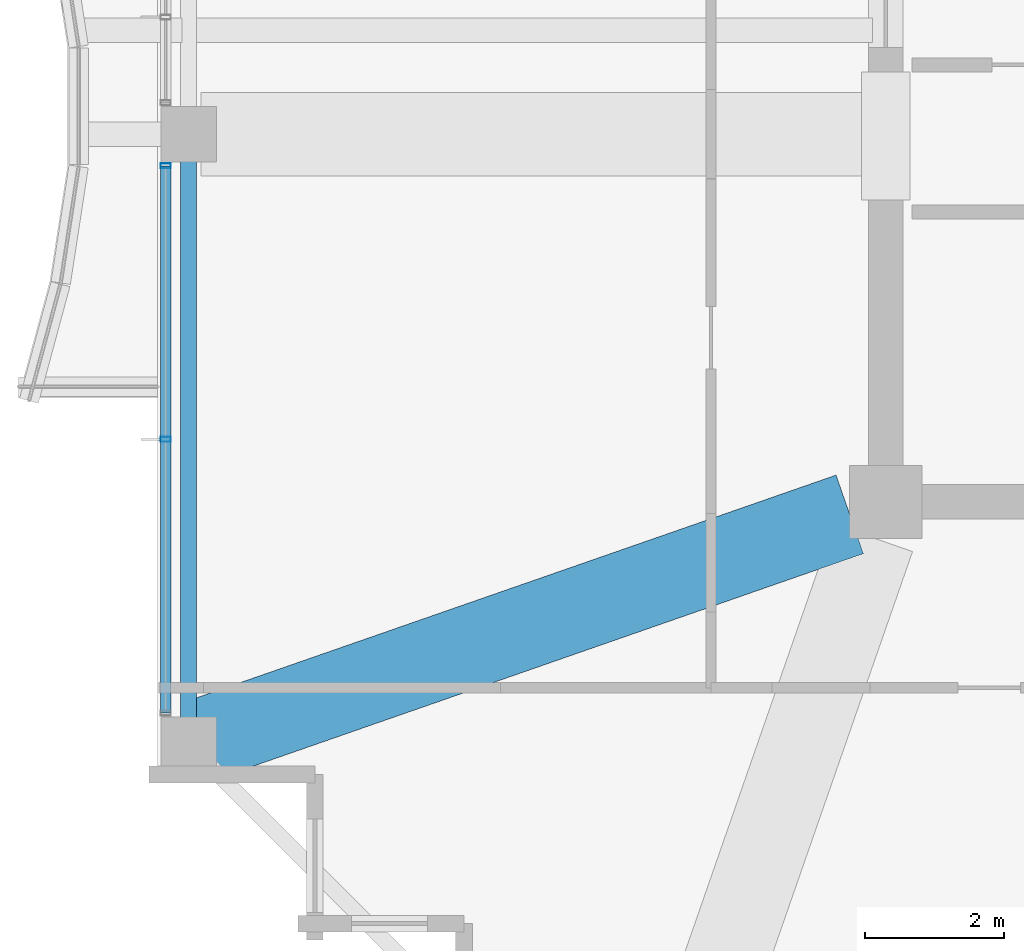
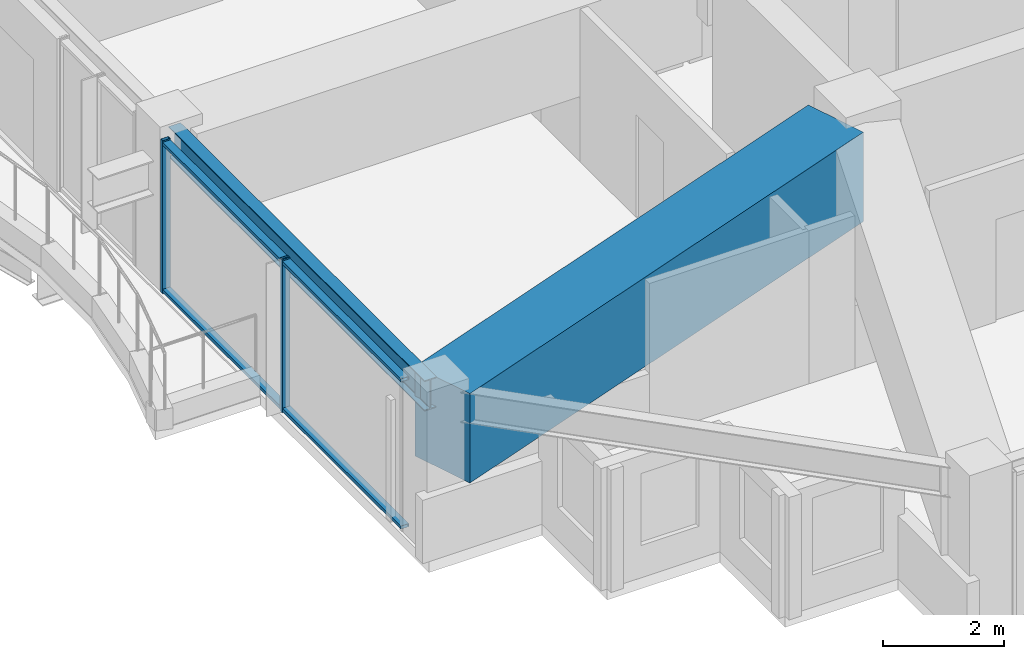
# One storey, part 4 of 35: 4 members, 2 beams, 1 element without a shape of its own.
"""IFC4 building model written with IfcOpenShell, lengths in metres."""

from ifc_helpers import new_model, si_unit, direction, frame, origin, origin_2d, place, context, subcontext, project, spatial, rectangle, hollow_rectangle, i_section, extrude, material, material_profile, profile_set, type_object, element, aggregate, save


model = new_model("IFC4")

# Units and contexts
model_context = context("Model", 3, precision=1e-05, world=origin(), true_north=direction((0.0, 1.0)))
body_context = subcontext(model_context, "Body", "Model", "MODEL_VIEW")
ifc_project = project(units=[si_unit("LENGTHUNIT", "METRE"), si_unit("AREAUNIT", "SQUARE_METRE"), si_unit("VOLUMEUNIT", "CUBIC_METRE"), si_unit("PLANEANGLEUNIT", "RADIAN"), si_unit("MASSUNIT", "GRAM", prefix="KILO")], contexts=[model_context])

# Site, building, storey
site_placement = place(None, origin())
site = spatial("IfcSite", under=ifc_project, at=site_placement, CompositionType="ELEMENT")
building_placement = place(site_placement, origin())
building = spatial("IfcBuilding", under=site, at=building_placement, Name="Kolvaren Belvedere", CompositionType="ELEMENT")
storey_placement = place(building_placement, frame((0.0, 0.0, 203.10009765625)))
storey = spatial("IfcBuildingStorey", under=building, at=storey_placement, Name="L59", CompositionType="ELEMENT", Elevation=203.10009765625)

# Beams
ifc_material_1 = material(Name="Structural steel ASTM A992 Grade 50", Category="steel")
ifc_material_profile_1 = material_profile(ifc_material_1, i_section(OverallWidth=0.22900390625, OverallDepth=0.612060546875, WebThickness=0.011962890625, FlangeThickness=0.01953125, FilletRadius=0.01806640625, at=origin_2d()), Name="W24X84")
ifc_profile_set_1 = profile_set([ifc_material_profile_1], Name="Structural steel ASTM A992 Grade 50")
beam_type_1 = type_object("IfcBeamType", Name="BM-SPAN-W24X84", PredefinedType="SPANDREL", material=ifc_profile_set_1)
beam_1_placement = place(storey_placement, frame((-19.949951171875, -4.780029296875, 2.77392578125), z_axis=(0.0, -1.0, 0.0), x_axis=(1.0, 0.0, 0.0)))
element("IfcBeam", 1, at=beam_1_placement, inside=storey, type_object=beam_type_1, Name="L59 Perimeter Spandrel W2-W1", PredefinedType="SPANDREL", context=body_context, shape_type="SweptSolid", body=[
    extrude(i_section(OverallWidth=0.22900390625, OverallDepth=0.612060546875, WebThickness=0.011962890625, FlangeThickness=0.01953125, FilletRadius=0.01806640625, at=origin_2d()), origin(), (0.0, 0.0, 1.0), 8.43994140625),
])
ifc_material_2 = material(Name="Concrete C50/60", Category="concrete")
ifc_material_profile_2 = material_profile(ifc_material_2, rectangle(XDim=1.199951171875, YDim=1.800048828125, at=origin_2d()), Name="RC 1200X1800")
ifc_profile_set_2 = profile_set([ifc_material_profile_2], Name="Concrete C50/60")
beam_type_2 = type_object("IfcBeamType", Name="BM-TG-1800", PredefinedType="BEAM", material=ifc_profile_set_2)
beam_2_placement = place(storey_placement, frame((-10.41943359375, -10.080810546875, 2.179931640625), z_axis=(-0.944365399758, -0.328898147971, 0.0), x_axis=(0.328898147971, -0.944365399758, 0.0)))
element("IfcBeam", 2, at=beam_2_placement, inside=storey, type_object=beam_type_2, Name="L59 Corner Core-to-Perimeter Girder CC1-W1", PredefinedType="BEAM", context=body_context, shape_type="SweptSolid", body=[
    extrude(rectangle(XDim=1.199951171875, YDim=1.800048828125, at=origin_2d()), origin(), (0.0, 0.0, 1.0), 9.931884765625),
])

# Curtain wall, members
ifc_material_3 = material(Name="Anodised pale-metal aluminium AA 6063-T6", Category="aluminium")
curtain_wall_type = type_object("IfcCurtainWallType", Name="CW-Z5-HIGH", PredefinedType="NOTDEFINED", material=ifc_material_3)
curtain_wall_placement = place(storey_placement, origin())
curtain_wall = element("IfcCurtainWall", 3, at=curtain_wall_placement, inside=storey, type_object=curtain_wall_type, Name="L59 Unitised Curtain Wall FCW-L59-W1-B1", PredefinedType="NOTDEFINED")
ifc_material_4 = material(Name="Anodised pale-metal aluminium AA 6063-T6", Category="aluminium")
ifc_material_profile_3 = material_profile(ifc_material_4, hollow_rectangle(XDim=0.070068359375, YDim=0.14990234375, WallThickness=0.004150390625, at=origin_2d()), Name="ALU-MUL-150X70")
ifc_profile_set_3 = profile_set([ifc_material_profile_3], Name="Anodised pale-metal aluminium AA 6063-T6")
member_type_1 = type_object("IfcMemberType", Name="CW-MUL-150", PredefinedType="MULLION", material=ifc_profile_set_3)
member_1_placement = place(storey_placement, frame((-20.280029296875, -9.0, 0.0), z_axis=(0.0, 0.0, 1.0), x_axis=(0.0, 1.0, 0.0)))
member_1 = element("IfcMember", 4, at=member_1_placement, type_object=member_type_1, Name="FCW-L59-W1-B1 Unitised Mullion 2", PredefinedType="MULLION", context=body_context, shape_type="SweptSolid", body=[
    extrude(hollow_rectangle(XDim=0.070068359375, YDim=0.14990234375, WallThickness=0.004150390625, at=origin_2d()), origin(), (0.0, 0.0, 1.0), 3.079833984375),
])
member_2_placement = place(storey_placement, frame((-20.280029296875, -5.054931640625, 0.0), z_axis=(0.0, 0.0, 1.0), x_axis=(0.0, 1.0, 0.0)))
member_2 = element("IfcMember", 5, at=member_2_placement, type_object=member_type_1, Name="FCW-L59-W1-B1 Unitised Mullion 3", PredefinedType="MULLION", context=body_context, shape_type="SweptSolid", body=[
    extrude(hollow_rectangle(XDim=0.070068359375, YDim=0.14990234375, WallThickness=0.004150390625, at=origin_2d()), origin(), (0.0, 0.0, 1.0), 3.079833984375),
])
ifc_material_5 = material(Name="Anodised pale-metal aluminium AA 6063-T6", Category="aluminium")
ifc_material_profile_4 = material_profile(ifc_material_5, hollow_rectangle(XDim=0.06494140625, YDim=0.14990234375, WallThickness=0.00390625, at=origin_2d()), Name="ALU-TRN-150X65")
ifc_profile_set_4 = profile_set([ifc_material_profile_4], Name="Anodised pale-metal aluminium AA 6063-T6")
member_type_2 = type_object("IfcMemberType", Name="CW-TRN-150", PredefinedType="USERDEFINED", material=ifc_profile_set_4)
member_3_placement = place(storey_placement, frame((-20.280029296875, -12.945068359375, 0.059814453125), z_axis=(0.0, 1.0, 0.0), x_axis=(0.0, 0.0, 1.0)))
member_3 = element("IfcMember", 6, at=member_3_placement, type_object=member_type_2, Name="FCW-L59-W1-B1 Sill Transom", ObjectType="TRANSOM", PredefinedType="USERDEFINED", context=body_context, shape_type="SweptSolid", body=[
    extrude(hollow_rectangle(XDim=0.06494140625, YDim=0.14990234375, WallThickness=0.00390625, at=origin_2d()), origin(), (0.0, 0.0, 1.0), 7.89013671875),
])
member_4_placement = place(storey_placement, frame((-20.280029296875, -12.945068359375, 3.02001953125), z_axis=(0.0, 1.0, 0.0), x_axis=(0.0, 0.0, 1.0)))
member_4 = element("IfcMember", 7, at=member_4_placement, type_object=member_type_2, Name="FCW-L59-W1-B1 Head Transom", ObjectType="TRANSOM", PredefinedType="USERDEFINED", context=body_context, shape_type="SweptSolid", body=[
    extrude(hollow_rectangle(XDim=0.06494140625, YDim=0.14990234375, WallThickness=0.00390625, at=origin_2d()), origin(), (0.0, 0.0, 1.0), 7.89013671875),
])
aggregate(curtain_wall, [member_1, member_2, member_3, member_4])

save(model, "model.ifc")
